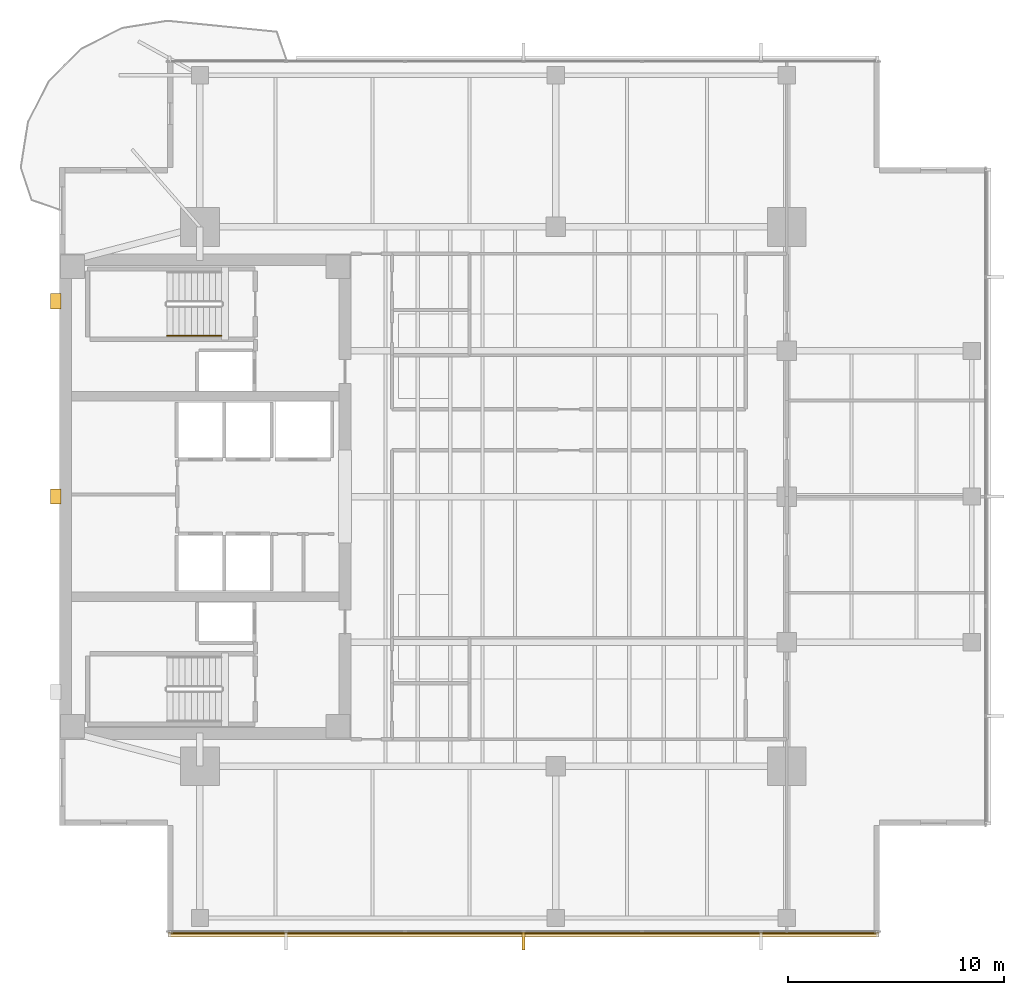
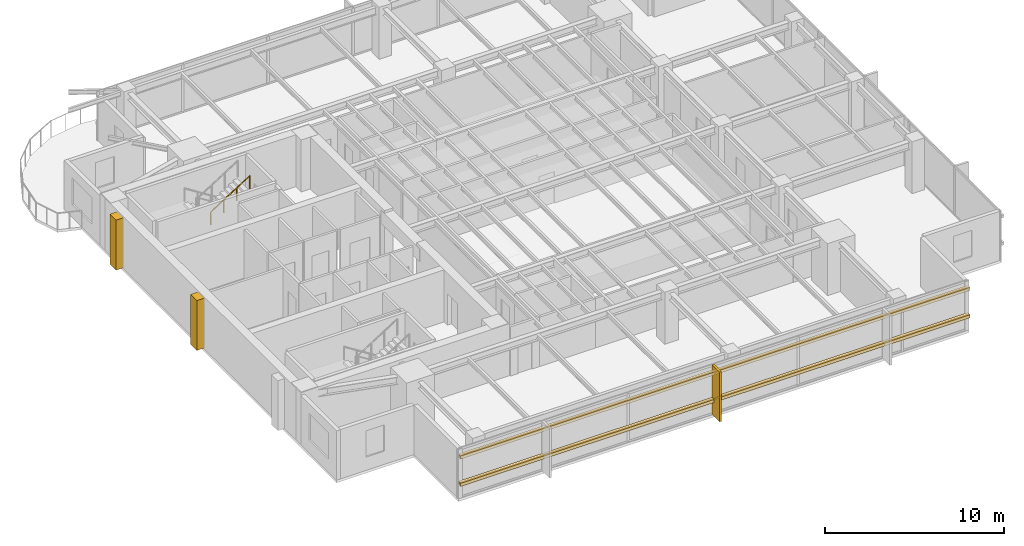
# One storey, part 12 of 14: 5 coverings, 2 shading devices, 1 railing.
"""IFC4 building model written with IfcOpenShell, lengths in metres."""

from ifc_helpers import new_model, si_unit, direction, frame, origin, origin_2d, place, context, subcontext, project, spatial, polyline, rectangle, circle, outline, extrude, material, layer, layer_set, material_profile, profile_set, type_object, element, save


model = new_model("IFC4")

# Units and contexts
model_context = context("Model", 3, precision=1e-05, world=origin(), true_north=direction((0.0, 1.0)))
body_context = subcontext(model_context, "Body", "Model", "MODEL_VIEW")
ifc_project = project(units=[si_unit("LENGTHUNIT", "METRE"), si_unit("AREAUNIT", "SQUARE_METRE"), si_unit("VOLUMEUNIT", "CUBIC_METRE"), si_unit("PLANEANGLEUNIT", "RADIAN"), si_unit("MASSUNIT", "GRAM", prefix="KILO")], contexts=[model_context])

# Site, building, storey
site_placement = place(None, origin())
site = spatial("IfcSite", under=ifc_project, at=site_placement, CompositionType="ELEMENT")
building_placement = place(site_placement, origin())
building = spatial("IfcBuilding", under=site, at=building_placement, Name="Kinhvarn Gate Tower", CompositionType="ELEMENT")
storey_placement = place(building_placement, frame((0.0, 0.0, 205.800048828125)))
storey = spatial("IfcBuildingStorey", under=building, at=storey_placement, Name="L54", CompositionType="ELEMENT", Elevation=205.800048828125)

# Coverings
ifc_material_1 = material(Name="Fired architectural terracotta", Category="masonry")
ifc_layer_1 = layer(ifc_material_1, 0.239990234375)
ifc_layer_set_1 = layer_set([ifc_layer_1], Name="Fired architectural terracotta")
covering_type_1 = type_object("IfcCoveringType", Name="COV-BAG-220", PredefinedType="CLADDING", material=ifc_layer_set_1)
for number, where, name in (
    (1, (0.0, 0.0, 0.93994140625), "Terracotta Horizontal Sunscreen Band TBG-220 (L54)"),
    (2, (0.0, 0.0, 2.81005859375), "Terracotta Horizontal Sunscreen Band TBG-220 (L54)"),
):
    element("IfcCovering", number, at=place(storey_placement, frame(where)), inside=storey, type_object=covering_type_1, Name=name, PredefinedType="CLADDING", context=body_context, shape_type="SweptSolid", body=[
        extrude(outline(polyline([(9.5400390625, 5.070068359375), (42.4599609375, 5.070068359375), (42.4599609375, 4.830078125), (9.5400390625, 4.830078125), (9.5400390625, 5.070068359375)])), origin(), (0.0, 0.0, 1.0), 0.219970703125),
    ])
ifc_layer_2 = layer(ifc_material_1, 0.139892578125)
ifc_layer_set_2 = layer_set([ifc_layer_2], Name="Fired architectural terracotta")
covering_type_2 = type_object("IfcCoveringType", Name="COV-FIN-850", PredefinedType="CLADDING", material=ifc_layer_set_2)
covering_1_placement = place(storey_placement, frame((0.0, 0.0, -0.02001953125)))
element("IfcCovering", 3, at=covering_1_placement, inside=storey, type_object=covering_type_2, Name="Vertical Terracotta Expressive Fin TFN-850 (L54)", PredefinedType="CLADDING", context=body_context, shape_type="SweptSolid", body=[
    extrude(outline(polyline([(25.929931640625, 5.080078125), (26.070068359375, 5.080078125), (26.070068359375, 4.22998046875), (25.929931640625, 4.22998046875), (25.929931640625, 5.080078125)])), origin(), (0.0, 0.0, 1.0), 3.409912109375),
])
ifc_material_2 = material(Name="Precast white architectural concrete C40/50", Category="concrete")
ifc_layer_3 = layer(ifc_material_2, 0.47998046875)
ifc_layer_set_3 = layer_set([ifc_layer_3], Name="Precast white architectural concrete C40/50")
covering_type_3 = type_object("IfcCoveringType", Name="COV-RIB-450", PredefinedType="CLADDING", material=ifc_layer_set_3)
covering_2_placement = place(storey_placement, frame((0.0, 0.0, -0.02001953125)))
element("IfcCovering", 4, at=covering_2_placement, inside=storey, type_object=covering_type_3, Name="West Core Sculptural Concrete Relief Rib CRB-450 (L54)", PredefinedType="CLADDING", context=body_context, shape_type="SweptSolid", body=[
    extrude(outline(polyline([(4.080078125, 24.89990234375), (4.56005859375, 24.89990234375), (4.56005859375, 25.60009765625), (4.080078125, 25.60009765625), (4.080078125, 24.89990234375)])), origin(), (0.0, 0.0, 1.0), 3.409912109375),
])
covering_3_placement = place(storey_placement, frame((0.0, 0.0, -0.02001953125)))
element("IfcCovering", 5, at=covering_3_placement, inside=storey, type_object=covering_type_3, Name="West Core Sculptural Concrete Relief Rib CRB-450 (L54)", PredefinedType="CLADDING", context=body_context, shape_type="SweptSolid", body=[
    extrude(outline(polyline([(4.080078125, 33.949951171875), (4.56005859375, 33.949951171875), (4.56005859375, 34.64990234375), (4.080078125, 34.64990234375), (4.080078125, 33.949951171875)])), origin(), (0.0, 0.0, 1.0), 3.409912109375),
])

# Railing
ifc_material_3 = material(Name="Steel S355", Category="steel")
railing_type = type_object("IfcRailingType", Name="RL-ST-HND", PredefinedType="HANDRAIL", material=ifc_material_3)
railing_placement = place(storey_placement, frame((9.47998046875, 32.699951171875, 1.952392578125)))
element("IfcRailing", 6, at=railing_placement, inside=storey, type_object=railing_type, Name="L54 ST2 stair handrail 2", PredefinedType="HANDRAIL", context=body_context, shape_type="SweptSolid", body=[
    extrude(circle(Radius=0.02392578125, at=origin_2d()), frame((0.0, 0.0, 0.8759765625), z_axis=(0.84456994832, 0.0, 0.535445237532), x_axis=(0.0, 1.0, 0.0)), (0.0, 0.0, 1.0), 2.98388671875),
    extrude(circle(Radius=0.02099609375, at=origin_2d()), origin(), (0.0, 0.0, 1.0), 0.851806640625),
    extrude(circle(Radius=0.02099609375, at=origin_2d()), frame((0.840087890625, 0.0, 0.532470703125)), (0.0, 0.0, 1.0), 0.851806640625),
    extrude(circle(Radius=0.02099609375, at=origin_2d()), frame((1.679931640625, 0.0, 1.065185546875)), (0.0, 0.0, 1.0), 0.851806640625),
    extrude(circle(Radius=0.02099609375, at=origin_2d()), frame((2.52001953125, 0.0, 1.59765625)), (0.0, 0.0, 1.0), 0.851806640625),
])

# Shading devices
ifc_material_profile = material_profile(ifc_material_1, rectangle(XDim=0.050048828125, YDim=0.1201171875, at=origin_2d()), Name="TC 50x120")
ifc_profile_set = profile_set([ifc_material_profile], Name="Fired architectural terracotta")
shading_device_type = type_object("IfcShadingDeviceType", Name="SHD-BAG-140", PredefinedType="USERDEFINED", material=ifc_profile_set)
for number, where, z_axis, x_axis, name in (
    (7, (9.5400390625, 5.0, 1.050048828125), (1.0, 0.0, 0.0), (0.0, 1.0, 0.0), "Upper Tower Terracotta Baguette Screen Rod 50x120 mm (L54)"),
    (8, (9.5400390625, 5.0, 2.919921875), (1.0, 0.0, 0.0), (0.0, 1.0, 0.0), "Upper Tower Terracotta Baguette Screen Rod 50x120 mm (L54)"),
):
    element("IfcShadingDevice", number, at=place(storey_placement, frame(where, z_axis=z_axis, x_axis=x_axis)), inside=storey, type_object=shading_device_type, Name=name, ObjectType="BAGUETTE", PredefinedType="USERDEFINED", context=body_context, shape_type="SweptSolid", body=[
        extrude(rectangle(XDim=0.050048828125, YDim=0.1201171875, at=origin_2d()), origin(), (0.0, 0.0, 1.0), 32.919921875),
    ])

save(model, "model.ifc")
